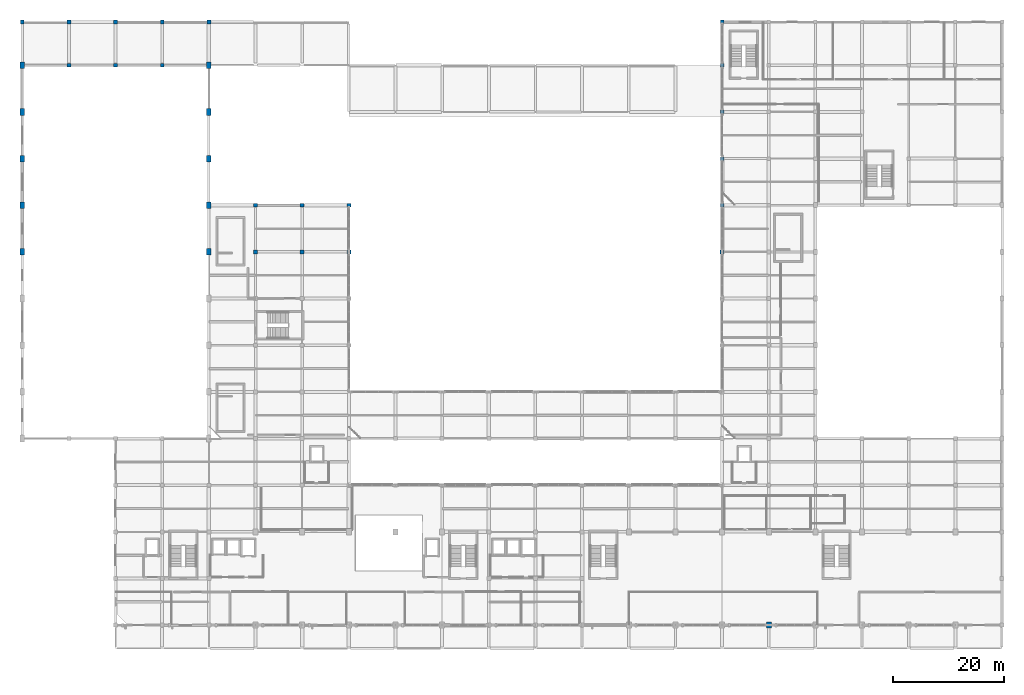
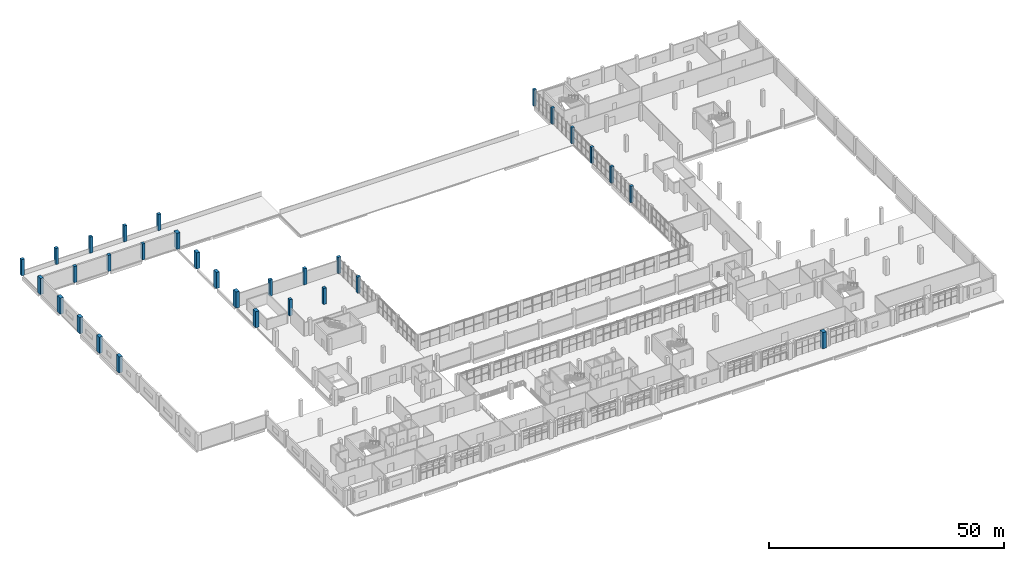
# One storey, part 7 of 59: 31 columns.
"""IFC4 building model written with IfcOpenShell, lengths in metres."""

from ifc_helpers import new_model, si_unit, derived_unit, direction, frame, origin, origin_2d, place, context, subcontext, project, spatial, rectangle, extrude, material, material_profile, profile_set, type_object, element, save


model = new_model("IFC4")

# Units and contexts
model_context = context("Model", 3, precision=1e-05, world=origin(), true_north=direction((0.0, 1.0)))
body_context = subcontext(model_context, "Body", "Model", "MODEL_VIEW")
ifc_project = project(units=[si_unit("LENGTHUNIT", "METRE"), si_unit("AREAUNIT", "SQUARE_METRE"), si_unit("VOLUMEUNIT", "CUBIC_METRE"), si_unit("PLANEANGLEUNIT", "RADIAN"), si_unit("MASSUNIT", "GRAM", prefix="KILO"), derived_unit("THERMALTRANSMITTANCEUNIT", [(si_unit("POWERUNIT", "WATT"), 1), (si_unit("LENGTHUNIT", "METRE"), -2), (si_unit("THERMODYNAMICTEMPERATUREUNIT", "KELVIN"), -1)])], contexts=[model_context])

# Site, building, storey
site_placement = place(None, origin())
site = spatial("IfcSite", under=ifc_project, at=site_placement, CompositionType="ELEMENT")
building_placement = place(site_placement, origin())
building = spatial("IfcBuilding", under=site, at=building_placement, Name="Barrovel Congress Hotel", CompositionType="ELEMENT")
storey_placement = place(building_placement, frame((0.0, 0.0, 9.89990234375)))
storey = spatial("IfcBuildingStorey", under=building, at=storey_placement, Name="L02", CompositionType="ELEMENT", Elevation=9.89990234375)

# Columns
ifc_material_1 = material(Name="Concrete C40", Category="concrete")
ifc_material_profile_1 = material_profile(ifc_material_1, rectangle(XDim=0.64990234375, YDim=0.64990234375, at=origin_2d()), Name="RC650x650")
ifc_profile_set_1 = profile_set([ifc_material_profile_1], Name="Concrete C40")
column_type_1 = type_object("IfcColumnType", Name="COL-RC650x650", PredefinedType="COLUMN", material=ifc_profile_set_1)
for number, where, z_axis, x_axis, name in (
    (1, (126.0, 79.800048828125, 0.0), (0.0, 0.0, 1.0), (1.0, 0.0, 0.0), "COL:L02:126.0:79.8"),
    (2, (126.0, 88.199951171875, 0.0), (0.0, 0.0, 1.0), (1.0, 0.0, 0.0), "COL:L02:126.0:88.2"),
    (3, (126.0, 96.60009765625, 0.0), (0.0, 0.0, 1.0), (1.0, 0.0, 0.0), "COL:L02:126.0:96.6"),
    (4, (126.0, 105.0, 0.0), (0.0, 0.0, 1.0), (1.0, 0.0, 0.0), "COL:L02:126.0:105.0"),
    (5, (126.0, 112.800048828125, 0.0), (0.0, 0.0, 1.0), (1.0, 0.0, 0.0), "COL:L02:126.0:112.8"),
):
    element("IfcColumn", number, at=place(storey_placement, frame(where, z_axis=z_axis, x_axis=x_axis)), inside=storey, type_object=column_type_1, Name=name, PredefinedType="COLUMN", context=body_context, shape_type="SweptSolid", body=[
        extrude(rectangle(XDim=0.64990234375, YDim=0.64990234375, at=origin_2d()), origin(), (0.0, 0.0, 1.0), 4.2001953125),
    ])
ifc_material_profile_2 = material_profile(ifc_material_1, rectangle(XDim=0.699951171875, YDim=0.699951171875, at=origin_2d()), Name="RC700x700")
ifc_profile_set_2 = profile_set([ifc_material_profile_2], Name="Concrete C40")
column_type_2 = type_object("IfcColumnType", Name="COL-RC700x700", PredefinedType="COLUMN", material=ifc_profile_set_2)
for number, where, z_axis, x_axis, name in (
    (6, (0.0, 112.800048828125, 0.0), (0.0, 0.0, 1.0), (1.0, 0.0, 0.0), "COL:L02:0.0:112.8"),
    (7, (8.39990234375, 105.0, 0.0), (0.0, 0.0, 1.0), (1.0, 0.0, 0.0), "COL:L02:8.4:105.0"),
    (8, (8.39990234375, 112.800048828125, 0.0), (0.0, 0.0, 1.0), (1.0, 0.0, 0.0), "COL:L02:8.4:112.8"),
    (9, (16.800048828125, 105.0, 0.0), (0.0, 0.0, 1.0), (1.0, 0.0, 0.0), "COL:L02:16.8:105.0"),
    (10, (16.800048828125, 112.800048828125, 0.0), (0.0, 0.0, 1.0), (1.0, 0.0, 0.0), "COL:L02:16.8:112.8"),
    (11, (25.199951171875, 105.0, 0.0), (0.0, 0.0, 1.0), (1.0, 0.0, 0.0), "COL:L02:25.2:105.0"),
    (12, (25.199951171875, 112.800048828125, 0.0), (0.0, 0.0, 1.0), (1.0, 0.0, 0.0), "COL:L02:25.2:112.8"),
    (13, (33.60009765625, 112.800048828125, 0.0), (0.0, 0.0, 1.0), (1.0, 0.0, 0.0), "COL:L02:33.6:112.8"),
    (14, (42.0, 71.39990234375, 0.0), (0.0, 0.0, 1.0), (1.0, 0.0, 0.0), "COL:L02:42.0:71.4"),
    (15, (42.0, 79.800048828125, 0.0), (0.0, 0.0, 1.0), (1.0, 0.0, 0.0), "COL:L02:42.0:79.8"),
    (16, (50.39990234375, 71.39990234375, 0.0), (0.0, 0.0, 1.0), (1.0, 0.0, 0.0), "COL:L02:50.4:71.4"),
    (17, (50.39990234375, 79.800048828125, 0.0), (0.0, 0.0, 1.0), (1.0, 0.0, 0.0), "COL:L02:50.4:79.8"),
    (18, (58.800048828125, 71.39990234375, 0.0), (0.0, 0.0, 1.0), (1.0, 0.0, 0.0), "COL:L02:58.8:71.4"),
    (19, (58.800048828125, 79.800048828125, 0.0), (0.0, 0.0, 1.0), (1.0, 0.0, 0.0), "COL:L02:58.8:79.8"),
    (20, (126.0, 71.39990234375, 0.0), (0.0, 0.0, 1.0), (1.0, 0.0, 0.0), "COL:L02:126.0:71.4"),
):
    element("IfcColumn", number, at=place(storey_placement, frame(where, z_axis=z_axis, x_axis=x_axis)), inside=storey, type_object=column_type_2, Name=name, PredefinedType="COLUMN", context=body_context, shape_type="SweptSolid", body=[
        extrude(rectangle(XDim=0.699951171875, YDim=0.699951171875, at=origin_2d()), origin(), (0.0, 0.0, 1.0), 4.2001953125),
    ])
ifc_material_profile_3 = material_profile(ifc_material_1, rectangle(XDim=0.800048828125, YDim=1.199951171875, at=origin_2d()), Name="RC800x1200")
ifc_profile_set_3 = profile_set([ifc_material_profile_3], Name="Concrete C40")
column_type_3 = type_object("IfcColumnType", Name="COL-RC800x1200", PredefinedType="COLUMN", material=ifc_profile_set_3)
for number, where, z_axis, x_axis, name in (
    (21, (0.0, 71.39990234375, 0.0), (0.0, 0.0, 1.0), (1.0, 0.0, 0.0), "COL:L02:0.0:71.4"),
    (22, (0.0, 79.800048828125, 0.0), (0.0, 0.0, 1.0), (1.0, 0.0, 0.0), "COL:L02:0.0:79.8"),
    (23, (0.0, 88.199951171875, 0.0), (0.0, 0.0, 1.0), (1.0, 0.0, 0.0), "COL:L02:0.0:88.2"),
    (24, (0.0, 96.60009765625, 0.0), (0.0, 0.0, 1.0), (1.0, 0.0, 0.0), "COL:L02:0.0:96.6"),
    (25, (0.0, 105.0, 0.0), (0.0, 0.0, 1.0), (1.0, 0.0, 0.0), "COL:L02:0.0:105.0"),
    (26, (33.60009765625, 71.39990234375, 0.0), (0.0, 0.0, 1.0), (1.0, 0.0, 0.0), "COL:L02:33.6:71.4"),
    (27, (33.60009765625, 79.800048828125, 0.0), (0.0, 0.0, 1.0), (1.0, 0.0, 0.0), "COL:L02:33.6:79.8"),
    (28, (33.60009765625, 88.199951171875, 0.0), (0.0, 0.0, 1.0), (1.0, 0.0, 0.0), "COL:L02:33.6:88.2"),
    (29, (33.60009765625, 96.60009765625, 0.0), (0.0, 0.0, 1.0), (1.0, 0.0, 0.0), "COL:L02:33.6:96.6"),
    (30, (33.60009765625, 105.0, 0.0), (0.0, 0.0, 1.0), (1.0, 0.0, 0.0), "COL:L02:33.6:105.0"),
):
    element("IfcColumn", number, at=place(storey_placement, frame(where, z_axis=z_axis, x_axis=x_axis)), inside=storey, type_object=column_type_3, Name=name, PredefinedType="COLUMN", context=body_context, shape_type="SweptSolid", body=[
        extrude(rectangle(XDim=0.800048828125, YDim=1.199951171875, at=origin_2d()), origin(), (0.0, 0.0, 1.0), 4.2001953125),
    ])
ifc_material_2 = material(Name="Concrete C50", Category="concrete")
ifc_material_profile_4 = material_profile(ifc_material_2, rectangle(XDim=0.89990234375, YDim=1.10009765625, at=origin_2d()), Name="RC900x1100")
ifc_profile_set_4 = profile_set([ifc_material_profile_4], Name="Concrete C50")
column_type_4 = type_object("IfcColumnType", Name="COL-RC900x1100", PredefinedType="COLUMN", material=ifc_profile_set_4)
column_placement = place(storey_placement, frame((134.39990234375, 4.199951171875, 0.0), z_axis=(0.0, 0.0, 1.0), x_axis=(1.0, 0.0, 0.0)))
element("IfcColumn", 31, at=column_placement, inside=storey, type_object=column_type_4, Name="COL:L02:134.4:4.2", PredefinedType="COLUMN", context=body_context, shape_type="SweptSolid", body=[
    extrude(rectangle(XDim=0.89990234375, YDim=1.10009765625, at=origin_2d()), origin(), (0.0, 0.0, 1.0), 4.2001953125),
])

save(model, "model.ifc")
